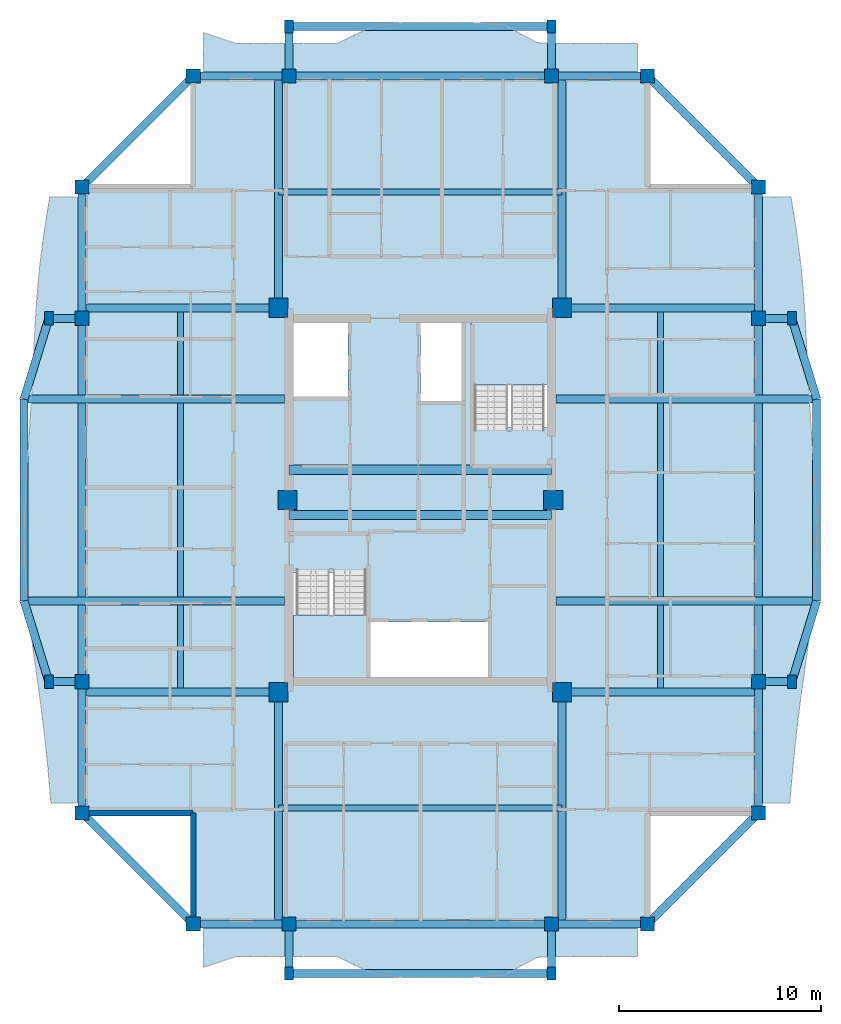
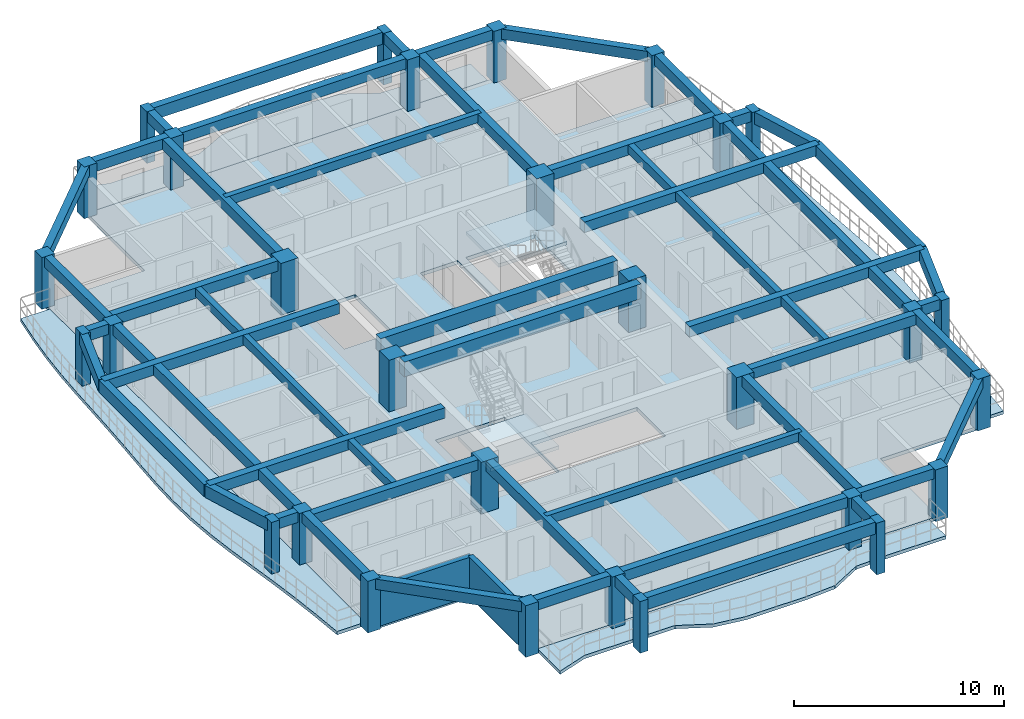
# One storey, part 1 of 14: 50 beams, 30 columns, 7 slabs, 2 walls, 2 elements without a shape of their own.
"""IFC4 building model written with IfcOpenShell, lengths in metres."""

from ifc_helpers import new_model, si_unit, direction, frame, frame_2d, origin, origin_2d, place, context, subcontext, project, spatial, polyline, rectangle, outline, extrude, source, transform, mapped, material, layer, layer_set, material_profile, profile_set, type_object, element, aggregate, save


model = new_model("IFC4")

# Units and contexts
model_context = context("Model", 3, precision=1e-05, world=origin(), true_north=direction((0.0, 1.0)))
body_context = subcontext(model_context, "Body", "Model", "MODEL_VIEW")
ifc_project = project(units=[si_unit("LENGTHUNIT", "METRE"), si_unit("AREAUNIT", "SQUARE_METRE"), si_unit("VOLUMEUNIT", "CUBIC_METRE"), si_unit("PLANEANGLEUNIT", "RADIAN"), si_unit("MASSUNIT", "GRAM", prefix="KILO")], contexts=[model_context])

# Site, building, storey
site_placement = place(None, origin())
site = spatial("IfcSite", under=ifc_project, at=site_placement, CompositionType="ELEMENT")
building_placement = place(site_placement, origin())
building = spatial("IfcBuilding", under=site, at=building_placement, Name="Saelheon Loggia Tower", CompositionType="ELEMENT")
storey_placement = place(building_placement, frame((0.0, 0.0, 233.10009765625)))
storey = spatial("IfcBuildingStorey", under=building, at=storey_placement, Name="L72", CompositionType="ELEMENT", Elevation=233.10009765625)

# Columns
ifc_material_1 = material(Name="Concrete C45/55", Category="concrete")
ifc_material_profile_1 = material_profile(ifc_material_1, rectangle(XDim=0.949951171875, YDim=0.949951171875, at=origin_2d()), Name="RC-950x950")
ifc_profile_set_1 = profile_set([ifc_material_profile_1], Name="Concrete C45/55")
column_type_1 = type_object("IfcColumnType", Name="Col_Core_RC950", PredefinedType="COLUMN", material=ifc_profile_set_1)
shared_shape_1 = source(origin(), body_context, "Body", "SweptSolid", [
    extrude(rectangle(XDim=0.949951171875, YDim=0.949951171875, at=origin_2d()), origin(), (0.0, 0.0, 1.0), 3.0),
])
for number, where, z_axis, x_axis, name in (
    (1, (30.97998046875, 17.47998046875, 0.0), (0.0, 0.0, 1.0), (1.0, 0.0, 0.0), "L72 Core Column CR-SW"),
    (2, (45.02001953125, 17.47998046875, 0.0), (0.0, 0.0, 1.0), (1.0, 0.0, 0.0), "L72 Core Column CR-SE"),
    (3, (30.97998046875, 36.52001953125, 0.0), (0.0, 0.0, 1.0), (1.0, 0.0, 0.0), "L72 Core Column CR-NW"),
    (4, (45.02001953125, 36.52001953125, 0.0), (0.0, 0.0, 1.0), (1.0, 0.0, 0.0), "L72 Core Column CR-NE"),
    (5, (31.419921875, 27.0, 0.0), (0.0, 0.0, 1.0), (1.0, 0.0, 0.0), "L72 Core Column CR-MW"),
    (6, (44.580078125, 27.0, 0.0), (0.0, 0.0, 1.0), (1.0, 0.0, 0.0), "L72 Core Column CR-ME"),
):
    element("IfcColumn", number, at=place(storey_placement, frame(where, z_axis=z_axis, x_axis=x_axis)), inside=storey, type_object=column_type_1, Name=name, PredefinedType="COLUMN", context=body_context, shape_type="MappedRepresentation", body=[
        mapped(shared_shape_1, transform((0.0, 0.0, 0.0), scale=1.0)),
    ])
ifc_material_2 = material(Name="Precast Concrete C45/55", Category="concrete")
ifc_material_profile_2 = material_profile(ifc_material_2, rectangle(XDim=0.449951171875, YDim=0.64990234375, at=origin_2d()), Name="RC-450x650")
ifc_profile_set_2 = profile_set([ifc_material_profile_2], Name="Precast Concrete C45/55")
column_type_2 = type_object("IfcColumnType", Name="Col_Loggia_Pilaster_650", PredefinedType="PILASTER", material=ifc_profile_set_2)
shared_shape_2 = source(origin(), body_context, "Body", "SweptSolid", [
    extrude(rectangle(XDim=0.449951171875, YDim=0.64990234375, at=origin_2d()), origin(), (0.0, 0.0, 1.0), 3.0),
])
for number, where, z_axis, x_axis, name in (
    (7, (31.5, 3.550048828125, 0.0), (0.0, 0.0, 1.0), (1.0, 0.0, 0.0), "L72 Loggia Frame Pilaster LP-S1"),
    (8, (44.5, 3.550048828125, 0.0), (0.0, 0.0, 1.0), (1.0, 0.0, 0.0), "L72 Loggia Frame Pilaster LP-S2"),
    (9, (31.5, 50.449951171875, 0.0), (0.0, 0.0, 1.0), (1.0, 0.0, 0.0), "L72 Loggia Frame Pilaster LP-N1"),
    (10, (44.5, 50.449951171875, 0.0), (0.0, 0.0, 1.0), (1.0, 0.0, 0.0), "L72 Loggia Frame Pilaster LP-N2"),
    (11, (56.39990234375, 18.0, 0.0), (0.0, 0.0, 1.0), (1.0, 0.0, 0.0), "L72 Loggia Frame Pilaster LP-E1"),
    (12, (56.39990234375, 36.0, 0.0), (0.0, 0.0, 1.0), (1.0, 0.0, 0.0), "L72 Loggia Frame Pilaster LP-E2"),
    (13, (19.60009765625, 18.0, 0.0), (0.0, 0.0, 1.0), (1.0, 0.0, 0.0), "L72 Loggia Frame Pilaster LP-W1"),
    (14, (19.60009765625, 36.0, 0.0), (0.0, 0.0, 1.0), (1.0, 0.0, 0.0), "L72 Loggia Frame Pilaster LP-W2"),
):
    element("IfcColumn", number, at=place(storey_placement, frame(where, z_axis=z_axis, x_axis=x_axis)), inside=storey, type_object=column_type_2, Name=name, PredefinedType="PILASTER", context=body_context, shape_type="MappedRepresentation", body=[
        mapped(shared_shape_2, transform((0.0, 0.0, 0.0), scale=1.0)),
    ])
ifc_material_profile_3 = material_profile(ifc_material_1, rectangle(XDim=0.699951171875, YDim=0.699951171875, at=origin_2d()), Name="RC-700x700")
ifc_profile_set_3 = profile_set([ifc_material_profile_3], Name="Concrete C45/55")
column_type_3 = type_object("IfcColumnType", Name="Col_Perim_RC700", PredefinedType="COLUMN", material=ifc_profile_set_3)
shared_shape_3 = source(origin(), body_context, "Body", "SweptSolid", [
    extrude(rectangle(XDim=0.699951171875, YDim=0.699951171875, at=origin_2d()), origin(), (0.0, 0.0, 1.0), 3.0),
])
for number, where, z_axis, x_axis, name in (
    (15, (26.75, 6.0, 0.0), (0.0, 0.0, 1.0), (1.0, 0.0, 0.0), "L72 Perimeter Column TP-S1"),
    (16, (31.5, 6.0, 0.0), (0.0, 0.0, 1.0), (1.0, 0.0, 0.0), "L72 Perimeter Column TP-SA"),
    (17, (44.5, 6.0, 0.0), (0.0, 0.0, 1.0), (1.0, 0.0, 0.0), "L72 Perimeter Column TP-SB"),
    (18, (49.25, 6.0, 0.0), (0.0, 0.0, 1.0), (1.0, 0.0, 0.0), "L72 Perimeter Column TP-S2"),
    (19, (54.75, 11.5, 0.0), (0.0, 0.0, 1.0), (1.0, 0.0, 0.0), "L72 Perimeter Column TP-E1"),
    (20, (54.75, 18.0, 0.0), (0.0, 0.0, 1.0), (1.0, 0.0, 0.0), "L72 Perimeter Column TP-EA"),
    (21, (54.75, 36.0, 0.0), (0.0, 0.0, 1.0), (1.0, 0.0, 0.0), "L72 Perimeter Column TP-EB"),
    (22, (54.75, 42.5, 0.0), (0.0, 0.0, 1.0), (1.0, 0.0, 0.0), "L72 Perimeter Column TP-E2"),
    (23, (49.25, 48.0, 0.0), (0.0, 0.0, 1.0), (1.0, 0.0, 0.0), "L72 Perimeter Column TP-N2"),
    (24, (44.5, 48.0, 0.0), (0.0, 0.0, 1.0), (1.0, 0.0, 0.0), "L72 Perimeter Column TP-NB"),
    (25, (31.5, 48.0, 0.0), (0.0, 0.0, 1.0), (1.0, 0.0, 0.0), "L72 Perimeter Column TP-NA"),
    (26, (26.75, 48.0, 0.0), (0.0, 0.0, 1.0), (1.0, 0.0, 0.0), "L72 Perimeter Column TP-N1"),
    (27, (21.25, 42.5, 0.0), (0.0, 0.0, 1.0), (1.0, 0.0, 0.0), "L72 Perimeter Column TP-W2"),
    (28, (21.25, 36.0, 0.0), (0.0, 0.0, 1.0), (1.0, 0.0, 0.0), "L72 Perimeter Column TP-WB"),
    (29, (21.25, 18.0, 0.0), (0.0, 0.0, 1.0), (1.0, 0.0, 0.0), "L72 Perimeter Column TP-WA"),
    (30, (21.25, 11.5, 0.0), (0.0, 0.0, 1.0), (1.0, 0.0, 0.0), "L72 Perimeter Column TP-W1"),
):
    element("IfcColumn", number, at=place(storey_placement, frame(where, z_axis=z_axis, x_axis=x_axis)), inside=storey, type_object=column_type_3, Name=name, PredefinedType="COLUMN", context=body_context, shape_type="MappedRepresentation", body=[
        mapped(shared_shape_3, transform((0.0, 0.0, 0.0), scale=1.0)),
    ])

# Beams
ifc_material_3 = material(Name="Concrete C50/60", Category="concrete")
ifc_material_profile_4 = material_profile(ifc_material_3, rectangle(XDim=0.449951171875, YDim=0.85009765625, at=origin_2d()), Name="RC-450x850")
ifc_profile_set_4 = profile_set([ifc_material_profile_4], Name="Concrete C50/60")
beam_type_1 = type_object("IfcBeamType", Name="Beam_CoreLintel_RC450x850", PredefinedType="LINTEL", material=ifc_profile_set_4)
shared_shape_4 = source(origin(), body_context, "Body", "SweptSolid", [
    extrude(rectangle(XDim=0.449951171875, YDim=0.85009765625, at=origin_2d()), origin(), (0.0, 0.0, 1.0), 13.0),
])
for number, where, z_axis, x_axis, name in (
    (31, (31.5, 26.25, 2.574951171875), (1.0, 0.0, 0.0), (0.0, 1.0, 0.0), "L72 Core Coupling Lintel 1"),
    (32, (31.5, 28.5, 2.574951171875), (1.0, 0.0, 0.0), (0.0, 1.0, 0.0), "L72 Core Coupling Lintel 2"),
):
    element("IfcBeam", number, at=place(storey_placement, frame(where, z_axis=z_axis, x_axis=x_axis)), inside=storey, type_object=beam_type_1, Name=name, PredefinedType="LINTEL", context=body_context, shape_type="MappedRepresentation", body=[
        mapped(shared_shape_4, transform((0.0, 0.0, 0.0), scale=1.0)),
    ])
ifc_material_profile_5 = material_profile(ifc_material_2, rectangle(XDim=0.39990234375, YDim=0.60009765625, at=origin_2d()), Name="RC-400x600")
ifc_profile_set_5 = profile_set([ifc_material_profile_5], Name="Precast Concrete C45/55")
beam_type_2 = type_object("IfcBeamType", Name="Beam_LoggiaTie_RC400x600", PredefinedType="BEAM", material=ifc_profile_set_5)
shared_shape_5 = source(origin(), body_context, "Body", "SweptSolid", [
    extrude(rectangle(XDim=0.39990234375, YDim=0.60009765625, at=origin_2d()), origin(), (0.0, 0.0, 1.0), 2.449951171875),
])
for number, where, z_axis, x_axis, name in (
    (33, (31.5, 6.0, 2.699951171875), (0.0, -1.0, 0.0), (1.0, 0.0, 0.0), "L72 Loggia Frame Tie Beam LP-S1"),
    (34, (44.5, 6.0, 2.699951171875), (0.0, -1.0, 0.0), (1.0, 0.0, 0.0), "L72 Loggia Frame Tie Beam LP-S2"),
    (35, (31.5, 48.0, 2.699951171875), (0.0, 1.0, 0.0), (-1.0, 0.0, 0.0), "L72 Loggia Frame Tie Beam LP-N1"),
    (36, (44.5, 48.0, 2.699951171875), (0.0, 1.0, 0.0), (-1.0, 0.0, 0.0), "L72 Loggia Frame Tie Beam LP-N2"),
):
    element("IfcBeam", number, at=place(storey_placement, frame(where, z_axis=z_axis, x_axis=x_axis)), inside=storey, type_object=beam_type_2, Name=name, PredefinedType="BEAM", context=body_context, shape_type="MappedRepresentation", body=[
        mapped(shared_shape_5, transform((0.0, 0.0, 0.0), scale=1.0)),
    ])
ifc_material_4 = material(Name="Concrete C40/50", Category="concrete")
ifc_material_profile_6 = material_profile(ifc_material_4, rectangle(XDim=0.300048828125, YDim=0.5, at=origin_2d()), Name="RC-300x500")
ifc_profile_set_6 = profile_set([ifc_material_profile_6], Name="Concrete C40/50")
beam_type_3 = type_object("IfcBeamType", Name="Beam_Joist_RC300x500", PredefinedType="JOIST", material=ifc_profile_set_6)
shared_shape_6 = source(origin(), body_context, "Body", "SweptSolid", [
    extrude(rectangle(XDim=0.300048828125, YDim=0.5, at=origin_2d()), origin(), (0.0, 0.0, 1.0), 14.0400390625),
])
for number, where, z_axis, x_axis, name in (
    (37, (30.97998046875, 11.739990234375, 2.75), (1.0, 0.0, 0.0), (0.0, 1.0, 0.0), "L72 South Floor Joist"),
    (38, (30.97998046875, 42.260009765625, 2.75), (1.0, 0.0, 0.0), (0.0, 1.0, 0.0), "L72 North Floor Joist"),
):
    element("IfcBeam", number, at=place(storey_placement, frame(where, z_axis=z_axis, x_axis=x_axis)), inside=storey, type_object=beam_type_3, Name=name, PredefinedType="JOIST", context=body_context, shape_type="MappedRepresentation", body=[
        mapped(shared_shape_6, transform((0.0, 0.0, 0.0), scale=1.0)),
    ])
shared_shape_7 = source(origin(), body_context, "Body", "SweptSolid", [
    extrude(rectangle(XDim=0.300048828125, YDim=0.5, at=origin_2d()), origin(), (0.0, 0.0, 1.0), 19.0400390625),
])
for number, where, z_axis, x_axis, name in (
    (39, (26.114990234375, 17.47998046875, 2.75), (0.0, 1.0, 0.0), (-1.0, 0.0, 0.0), "L72 West Floor Joist"),
    (40, (49.885009765625, 17.47998046875, 2.75), (0.0, 1.0, 0.0), (-1.0, 0.0, 0.0), "L72 East Floor Joist"),
):
    element("IfcBeam", number, at=place(storey_placement, frame(where, z_axis=z_axis, x_axis=x_axis)), inside=storey, type_object=beam_type_3, Name=name, PredefinedType="JOIST", context=body_context, shape_type="MappedRepresentation", body=[
        mapped(shared_shape_7, transform((0.0, 0.0, 0.0), scale=1.0)),
    ])
shared_shape_8 = source(origin(), body_context, "Body", "SweptSolid", [
    extrude(rectangle(XDim=0.39990234375, YDim=0.60009765625, at=origin_2d()), origin(), (0.0, 0.0, 1.0), 1.64990234375),
])
for number, where, z_axis, x_axis, name in (
    (41, (54.75, 18.0, 2.699951171875), (1.0, 0.0, 0.0), (0.0, 1.0, 0.0), "L72 Loggia Frame Tie Beam LP-E1"),
    (42, (54.75, 36.0, 2.699951171875), (1.0, 0.0, 0.0), (0.0, 1.0, 0.0), "L72 Loggia Frame Tie Beam LP-E2"),
    (43, (21.25, 18.0, 2.699951171875), (-1.0, 0.0, 0.0), (0.0, -1.0, 0.0), "L72 Loggia Frame Tie Beam LP-W1"),
    (44, (21.25, 36.0, 2.699951171875), (-1.0, 0.0, 0.0), (0.0, -1.0, 0.0), "L72 Loggia Frame Tie Beam LP-W2"),
):
    element("IfcBeam", number, at=place(storey_placement, frame(where, z_axis=z_axis, x_axis=x_axis)), inside=storey, type_object=beam_type_2, Name=name, PredefinedType="BEAM", context=body_context, shape_type="MappedRepresentation", body=[
        mapped(shared_shape_8, transform((0.0, 0.0, 0.0), scale=1.0)),
    ])
ifc_material_profile_7 = material_profile(ifc_material_2, rectangle(XDim=0.39990234375, YDim=0.699951171875, at=origin_2d()), Name="RC-400x700")
ifc_profile_set_7 = profile_set([ifc_material_profile_7], Name="Precast Concrete C45/55")
beam_type_4 = type_object("IfcBeamType", Name="Beam_LoggiaSpandrel_RC400x700", PredefinedType="SPANDREL", material=ifc_profile_set_7)
shared_shape_9 = source(origin(), body_context, "Body", "SweptSolid", [
    extrude(rectangle(XDim=0.39990234375, YDim=0.699951171875, at=origin_2d()), origin(), (0.0, 0.0, 1.0), 13.0),
])
for number, where, z_axis, x_axis, name in (
    (45, (31.5, 3.550048828125, 2.64990234375), (1.0, 0.0, 0.0), (0.0, 1.0, 0.0), "L72 Loggia Spandrel Beam S"),
    (46, (31.5, 50.449951171875, 2.64990234375), (1.0, 0.0, 0.0), (0.0, 1.0, 0.0), "L72 Loggia Spandrel Beam N"),
):
    element("IfcBeam", number, at=place(storey_placement, frame(where, z_axis=z_axis, x_axis=x_axis)), inside=storey, type_object=beam_type_4, Name=name, PredefinedType="SPANDREL", context=body_context, shape_type="MappedRepresentation", body=[
        mapped(shared_shape_9, transform((0.0, 0.0, 0.0), scale=1.0)),
    ])
shared_shape_10 = source(origin(), body_context, "Body", "SweptSolid", [
    extrude(rectangle(XDim=0.39990234375, YDim=0.699951171875, at=origin_2d()), origin(), (0.0, 0.0, 1.0), 4.184814453125),
])
for number, where, z_axis, x_axis, name in (
    (47, (56.39990234375, 18.0, 2.64990234375), (0.293913664135, 0.955831971653, 0.0), (-0.955831971653, 0.293913664135, 0.0), "L72 Curved Loggia Spandrel E 1"),
    (48, (57.6298828125, 32.0, 2.64990234375), (-0.293913664135, 0.955831971653, 0.0), (-0.955831971653, -0.293913664135, 0.0), "L72 Curved Loggia Spandrel E 3"),
    (49, (19.60009765625, 18.0, 2.64990234375), (-0.293913664135, 0.955831971653, 0.0), (-0.955831971653, -0.293913664135, 0.0), "L72 Curved Loggia Spandrel W 1"),
    (50, (18.3701171875, 32.0, 2.64990234375), (0.293913664135, 0.955831971653, 0.0), (-0.955831971653, 0.293913664135, 0.0), "L72 Curved Loggia Spandrel W 3"),
):
    element("IfcBeam", number, at=place(storey_placement, frame(where, z_axis=z_axis, x_axis=x_axis)), inside=storey, type_object=beam_type_4, Name=name, PredefinedType="SPANDREL", context=body_context, shape_type="MappedRepresentation", body=[
        mapped(shared_shape_10, transform((0.0, 0.0, 0.0), scale=1.0)),
    ])
shared_shape_11 = source(origin(), body_context, "Body", "SweptSolid", [
    extrude(rectangle(XDim=0.39990234375, YDim=0.699951171875, at=origin_2d()), origin(), (0.0, 0.0, 1.0), 10.0),
])
for number, where, z_axis, x_axis, name in (
    (51, (57.6298828125, 22.0, 2.64990234375), (0.0, 1.0, 0.0), (-1.0, 0.0, 0.0), "L72 Curved Loggia Spandrel E 2"),
    (52, (18.3701171875, 22.0, 2.64990234375), (0.0, 1.0, 0.0), (-1.0, 0.0, 0.0), "L72 Curved Loggia Spandrel W 2"),
):
    element("IfcBeam", number, at=place(storey_placement, frame(where, z_axis=z_axis, x_axis=x_axis)), inside=storey, type_object=beam_type_4, Name=name, PredefinedType="SPANDREL", context=body_context, shape_type="MappedRepresentation", body=[
        mapped(shared_shape_11, transform((0.0, 0.0, 0.0), scale=1.0)),
    ])
ifc_material_profile_8 = material_profile(ifc_material_4, rectangle(XDim=0.39990234375, YDim=0.60009765625, at=origin_2d()), Name="RC-400x600")
ifc_profile_set_8 = profile_set([ifc_material_profile_8], Name="Concrete C40/50")
beam_type_5 = type_object("IfcBeamType", Name="Beam_PerimUpper_RC400x600", PredefinedType="BEAM", material=ifc_profile_set_8)
shared_shape_12 = source(origin(), body_context, "Body", "SweptSolid", [
    extrude(rectangle(XDim=0.39990234375, YDim=0.60009765625, at=origin_2d()), origin(), (0.0, 0.0, 1.0), 13.0),
])
for number, where, z_axis, x_axis, name in (
    (53, (31.5, 6.0, 2.699951171875), (1.0, 0.0, 0.0), (0.0, 1.0, 0.0), "L72 Perimeter Frame Girder 02"),
    (54, (44.5, 48.0, 2.699951171875), (-1.0, 0.0, 0.0), (0.0, -1.0, 0.0), "L72 Perimeter Frame Girder 10"),
):
    element("IfcBeam", number, at=place(storey_placement, frame(where, z_axis=z_axis, x_axis=x_axis)), inside=storey, type_object=beam_type_5, Name=name, PredefinedType="BEAM", context=body_context, shape_type="MappedRepresentation", body=[
        mapped(shared_shape_12, transform((0.0, 0.0, 0.0), scale=1.0)),
    ])
shared_shape_13 = source(origin(), body_context, "Body", "SweptSolid", [
    extrude(rectangle(XDim=0.39990234375, YDim=0.60009765625, at=origin_2d()), origin(), (0.0, 0.0, 1.0), 18.0),
])
for number, where, z_axis, x_axis, name in (
    (55, (54.75, 18.0, 2.699951171875), (0.0, 1.0, 0.0), (-1.0, 0.0, 0.0), "L72 Perimeter Frame Girder 06"),
    (56, (21.25, 36.0, 2.699951171875), (0.0, -1.0, 0.0), (1.0, 0.0, 0.0), "L72 Perimeter Frame Girder 14"),
):
    element("IfcBeam", number, at=place(storey_placement, frame(where, z_axis=z_axis, x_axis=x_axis)), inside=storey, type_object=beam_type_5, Name=name, PredefinedType="BEAM", context=body_context, shape_type="MappedRepresentation", body=[
        mapped(shared_shape_13, transform((0.0, 0.0, 0.0), scale=1.0)),
    ])
ifc_material_profile_9 = material_profile(ifc_material_4, rectangle(XDim=0.39990234375, YDim=0.60009765625, at=origin_2d()), Name="RC-400x600")
ifc_profile_set_9 = profile_set([ifc_material_profile_9], Name="Concrete C40/50")
beam_type_6 = type_object("IfcBeamType", Name="Beam_UpperGirder_RC400x600", PredefinedType="BEAM", material=ifc_profile_set_9)
shared_shape_14 = source(origin(), body_context, "Body", "SweptSolid", [
    extrude(rectangle(XDim=0.39990234375, YDim=0.60009765625, at=origin_2d()), origin(), (0.0, 0.0, 1.0), 11.47998046875),
])
for number, where, z_axis, x_axis, name in (
    (57, (30.97998046875, 17.47998046875, 2.699951171875), (0.0, -1.0, 0.0), (1.0, 0.0, 0.0), "L72 Radial Floor Girder RAD-SW-S"),
    (58, (45.02001953125, 17.47998046875, 2.699951171875), (0.0, -1.0, 0.0), (1.0, 0.0, 0.0), "L72 Radial Floor Girder RAD-SE-S"),
    (59, (30.97998046875, 36.52001953125, 2.699951171875), (0.0, 1.0, 0.0), (-1.0, 0.0, 0.0), "L72 Radial Floor Girder RAD-NW-N"),
    (60, (45.02001953125, 36.52001953125, 2.699951171875), (0.0, 1.0, 0.0), (-1.0, 0.0, 0.0), "L72 Radial Floor Girder RAD-NE-N"),
):
    element("IfcBeam", number, at=place(storey_placement, frame(where, z_axis=z_axis, x_axis=x_axis)), inside=storey, type_object=beam_type_6, Name=name, PredefinedType="BEAM", context=body_context, shape_type="MappedRepresentation", body=[
        mapped(shared_shape_14, transform((0.0, 0.0, 0.0), scale=1.0)),
    ])
shared_shape_15 = source(origin(), body_context, "Body", "SweptSolid", [
    extrude(rectangle(XDim=0.39990234375, YDim=0.60009765625, at=origin_2d()), origin(), (0.0, 0.0, 1.0), 6.5),
])
for number, where, z_axis, x_axis, name in (
    (61, (54.75, 11.5, 2.699951171875), (0.0, 1.0, 0.0), (-1.0, 0.0, 0.0), "L72 Perimeter Frame Girder 05"),
    (62, (54.75, 36.0, 2.699951171875), (0.0, 1.0, 0.0), (-1.0, 0.0, 0.0), "L72 Perimeter Frame Girder 07"),
    (63, (21.25, 42.5, 2.699951171875), (0.0, -1.0, 0.0), (1.0, 0.0, 0.0), "L72 Perimeter Frame Girder 13"),
    (64, (21.25, 18.0, 2.699951171875), (0.0, -1.0, 0.0), (1.0, 0.0, 0.0), "L72 Perimeter Frame Girder 15"),
):
    element("IfcBeam", number, at=place(storey_placement, frame(where, z_axis=z_axis, x_axis=x_axis)), inside=storey, type_object=beam_type_5, Name=name, PredefinedType="BEAM", context=body_context, shape_type="MappedRepresentation", body=[
        mapped(shared_shape_15, transform((0.0, 0.0, 0.0), scale=1.0)),
    ])
shared_shape_16 = source(origin(), body_context, "Body", "SweptSolid", [
    extrude(rectangle(XDim=0.39990234375, YDim=0.60009765625, at=origin_2d()), origin(), (0.0, 0.0, 1.0), 7.778076171875),
])
for number, where, z_axis, x_axis, name in (
    (65, (49.25, 6.0, 2.699951171875), (0.707106781187, 0.707106781187, 0.0), (-0.707106781187, 0.707106781187, 0.0), "L72 Perimeter Frame Girder 04"),
    (66, (54.75, 42.5, 2.699951171875), (-0.707106781187, 0.707106781187, 0.0), (-0.707106781187, -0.707106781187, 0.0), "L72 Perimeter Frame Girder 08"),
    (67, (26.75, 48.0, 2.699951171875), (-0.707106781187, -0.707106781187, 0.0), (0.707106781187, -0.707106781187, 0.0), "L72 Perimeter Frame Girder 12"),
    (68, (21.25, 11.5, 2.699951171875), (0.707106781187, -0.707106781187, 0.0), (0.707106781187, 0.707106781187, 0.0), "L72 Perimeter Frame Girder 16"),
):
    element("IfcBeam", number, at=place(storey_placement, frame(where, z_axis=z_axis, x_axis=x_axis)), inside=storey, type_object=beam_type_5, Name=name, PredefinedType="BEAM", context=body_context, shape_type="MappedRepresentation", body=[
        mapped(shared_shape_16, transform((0.0, 0.0, 0.0), scale=1.0)),
    ])
shared_shape_17 = source(origin(), body_context, "Body", "SweptSolid", [
    extrude(rectangle(XDim=0.39990234375, YDim=0.60009765625, at=origin_2d()), origin(), (0.0, 0.0, 1.0), 4.75),
])
for number, where, z_axis, x_axis, name in (
    (69, (26.75, 6.0, 2.699951171875), (1.0, 0.0, 0.0), (0.0, 1.0, 0.0), "L72 Perimeter Frame Girder 01"),
    (70, (44.5, 6.0, 2.699951171875), (1.0, 0.0, 0.0), (0.0, 1.0, 0.0), "L72 Perimeter Frame Girder 03"),
    (71, (49.25, 48.0, 2.699951171875), (-1.0, 0.0, 0.0), (0.0, -1.0, 0.0), "L72 Perimeter Frame Girder 09"),
    (72, (31.5, 48.0, 2.699951171875), (-1.0, 0.0, 0.0), (0.0, -1.0, 0.0), "L72 Perimeter Frame Girder 11"),
):
    element("IfcBeam", number, at=place(storey_placement, frame(where, z_axis=z_axis, x_axis=x_axis)), inside=storey, type_object=beam_type_5, Name=name, PredefinedType="BEAM", context=body_context, shape_type="MappedRepresentation", body=[
        mapped(shared_shape_17, transform((0.0, 0.0, 0.0), scale=1.0)),
    ])
shared_shape_18 = source(origin(), body_context, "Body", "SweptSolid", [
    extrude(rectangle(XDim=0.39990234375, YDim=0.60009765625, at=origin_2d()), origin(), (0.0, 0.0, 1.0), 9.72998046875),
])
for number, where, z_axis, x_axis, name in (
    (73, (30.97998046875, 17.47998046875, 2.699951171875), (-1.0, 0.0, 0.0), (0.0, -1.0, 0.0), "L72 Radial Floor Girder RAD-SW-W"),
    (74, (30.97998046875, 36.52001953125, 2.699951171875), (-1.0, 0.0, 0.0), (0.0, -1.0, 0.0), "L72 Radial Floor Girder RAD-NW-W"),
    (75, (45.02001953125, 17.47998046875, 2.699951171875), (1.0, 0.0, 0.0), (0.0, 1.0, 0.0), "L72 Radial Floor Girder RAD-SE-E"),
    (76, (45.02001953125, 36.52001953125, 2.699951171875), (1.0, 0.0, 0.0), (0.0, 1.0, 0.0), "L72 Radial Floor Girder RAD-NE-E"),
):
    element("IfcBeam", number, at=place(storey_placement, frame(where, z_axis=z_axis, x_axis=x_axis)), inside=storey, type_object=beam_type_6, Name=name, PredefinedType="BEAM", context=body_context, shape_type="MappedRepresentation", body=[
        mapped(shared_shape_18, transform((0.0, 0.0, 0.0), scale=1.0)),
    ])
shared_shape_19 = source(origin(), body_context, "Body", "SweptSolid", [
    extrude(rectangle(XDim=0.39990234375, YDim=0.60009765625, at=origin_2d()), origin(), (0.0, 0.0, 1.0), 12.909912109375),
])
for number, where, z_axis, x_axis, name in (
    (77, (44.719970703125, 22.0, 2.699951171875), (1.0, 0.0, 0.0), (0.0, 1.0, 0.0), "L72 Curved Facade Outrigger Beam E 1"),
    (78, (44.719970703125, 32.0, 2.699951171875), (1.0, 0.0, 0.0), (0.0, 1.0, 0.0), "L72 Curved Facade Outrigger Beam E 2"),
    (79, (31.280029296875, 22.0, 2.699951171875), (-1.0, 0.0, 0.0), (0.0, -1.0, 0.0), "L72 Curved Facade Outrigger Beam W 1"),
    (80, (31.280029296875, 32.0, 2.699951171875), (-1.0, 0.0, 0.0), (0.0, -1.0, 0.0), "L72 Curved Facade Outrigger Beam W 2"),
):
    element("IfcBeam", number, at=place(storey_placement, frame(where, z_axis=z_axis, x_axis=x_axis)), inside=storey, type_object=beam_type_2, Name=name, PredefinedType="BEAM", context=body_context, shape_type="MappedRepresentation", body=[
        mapped(shared_shape_19, transform((0.0, 0.0, 0.0), scale=1.0)),
    ])

# Slabs
ifc_layer_1 = layer(ifc_material_2, 0.18994140625)
ifc_layer_set_1 = layer_set([ifc_layer_1], Name="Precast Concrete C45/55")
slab_type_1 = type_object("IfcSlabType", Name="Slab_Loggia_Ext_190", PredefinedType="FLOOR", material=ifc_layer_set_1)
slab_1_placement = place(storey_placement, frame((0.0, 0.0, -0.190185546875)))
element("IfcSlab", 81, at=slab_1_placement, inside=storey, type_object=slab_type_1, Name="L72 Loggia Balcony Slab S", PredefinedType="FLOOR", context=body_context, shape_type="SweptSolid", body=[
    extrude(outline(polyline([(27.25, 3.85009765625), (28.90380859375, 4.39990234375), (30.5576171875, 4.39990234375), (32.21142578125, 4.39990234375), (33.865478515625, 4.39990234375), (35.519287109375, 3.596435546875), (37.173095703125, 3.35009765625), (38.826904296875, 3.35009765625), (40.480712890625, 3.35009765625), (42.134521484375, 3.46630859375), (43.78857421875, 4.34814453125), (45.4423828125, 4.39990234375), (47.09619140625, 4.39990234375), (48.75, 4.39990234375), (48.75, 6.0), (27.25, 6.0), (27.25, 3.85009765625)])), origin(), (0.0, 0.0, 1.0), 0.190185546875),
])
slab_2_placement = place(storey_placement, frame((0.0, 0.0, -0.190185546875)))
element("IfcSlab", 82, at=slab_2_placement, inside=storey, type_object=slab_type_1, Name="L72 Loggia Balcony Slab N", PredefinedType="FLOOR", context=body_context, shape_type="SweptSolid", body=[
    extrude(outline(polyline([(27.25, 48.0), (48.75, 48.0), (48.75, 49.60009765625), (47.09619140625, 49.60009765625), (45.4423828125, 49.60009765625), (43.78857421875, 49.65185546875), (42.134521484375, 50.53369140625), (40.480712890625, 50.64990234375), (38.826904296875, 50.64990234375), (37.173095703125, 50.64990234375), (35.519287109375, 50.403564453125), (33.865478515625, 49.60009765625), (32.21142578125, 49.60009765625), (30.5576171875, 49.60009765625), (28.90380859375, 49.60009765625), (27.25, 50.14990234375), (27.25, 48.0)])), origin(), (0.0, 0.0, 1.0), 0.190185546875),
])
slab_3_placement = place(storey_placement, frame((0.0, 0.0, -0.190185546875)))
element("IfcSlab", 83, at=slab_3_placement, inside=storey, type_object=slab_type_1, Name="L72 Loggia Balcony Slab E", PredefinedType="FLOOR", context=body_context, shape_type="SweptSolid", body=[
    extrude(outline(polyline([(54.75, 12.0), (56.300048828125, 12.0), (56.4423828125, 13.666748046875), (56.610595703125, 15.333251953125), (56.816650390625, 17.0), (57.050537109375, 18.666748046875), (57.283203125, 20.333251953125), (57.4755859375, 22.0), (57.594482421875, 23.666748046875), (57.6259765625, 25.333251953125), (57.57861328125, 27.0), (57.48095703125, 28.666748046875), (57.36767578125, 30.333251953125), (57.264892578125, 32.0), (57.180419921875, 33.666748046875), (57.100341796875, 35.333251953125), (56.9970703125, 37.0), (56.843505859375, 38.666748046875), (56.626708984375, 40.333251953125), (56.355712890625, 42.0), (54.75, 42.0), (54.75, 12.0)])), origin(), (0.0, 0.0, 1.0), 0.190185546875),
])
slab_4_placement = place(storey_placement, frame((0.0, 0.0, -0.190185546875)))
element("IfcSlab", 84, at=slab_4_placement, inside=storey, type_object=slab_type_1, Name="L72 Loggia Balcony Slab W", PredefinedType="FLOOR", context=body_context, shape_type="SweptSolid", body=[
    extrude(outline(polyline([(21.25, 12.0), (21.25, 42.0), (19.644287109375, 42.0), (19.373291015625, 40.333251953125), (19.156494140625, 38.666748046875), (19.0029296875, 37.0), (18.899658203125, 35.333251953125), (18.819580078125, 33.666748046875), (18.735107421875, 32.0), (18.63232421875, 30.333251953125), (18.51904296875, 28.666748046875), (18.42138671875, 27.0), (18.3740234375, 25.333251953125), (18.405517578125, 23.666748046875), (18.5244140625, 22.0), (18.716796875, 20.333251953125), (18.949462890625, 18.666748046875), (19.183349609375, 17.0), (19.389404296875, 15.333251953125), (19.5576171875, 13.666748046875), (19.699951171875, 12.0), (21.25, 12.0)])), origin(), (0.0, 0.0, 1.0), 0.190185546875),
])

# Stair, slab
stair_type = type_object("IfcStairType", Name="Stair_Escape_Core", PredefinedType="HALF_TURN_STAIR", material=ifc_material_4)
stair_1_placement = place(storey_placement, origin())
stair_1 = element("IfcStair", 85, at=stair_1_placement, inside=storey, type_object=stair_type, Name="L72 Special Escape Stair ST1", PredefinedType="HALF_TURN_STAIR")
ifc_layer_2 = layer(ifc_material_4, 0.199951171875)
ifc_layer_set_2 = layer_set([ifc_layer_2], Name="Concrete C40/50")
slab_type_2 = type_object("IfcSlabType", Name="Slab_StairLanding_ST1", PredefinedType="LANDING", material=ifc_layer_set_2)
slab_5_placement = place(storey_placement, frame((0.0, 0.0, 1.2998046875)))
slab_5 = element("IfcSlab", 86, at=slab_5_placement, type_object=slab_type_2, Name="ST1 landing 1", PredefinedType="LANDING", context=body_context, shape_type="SweptSolid", body=[
    extrude(outline(polyline([(31.7099609375, 21.31005859375), (31.7099609375, 18.2099609375), (35.469970703125, 18.2099609375), (35.469970703125, 21.31005859375), (31.7099609375, 21.31005859375)])), origin(), (0.0, 0.0, 1.0), 0.2001953125),
])
aggregate(stair_1, [slab_5])

stair_2_placement = place(storey_placement, origin())
stair_2 = element("IfcStair", 87, at=stair_2_placement, inside=storey, type_object=stair_type, Name="L72 Special Escape Stair ST2", PredefinedType="HALF_TURN_STAIR")
ifc_layer_3 = layer(ifc_material_4, 0.199951171875)
ifc_layer_set_3 = layer_set([ifc_layer_3], Name="Concrete C40/50")
slab_type_3 = type_object("IfcSlabType", Name="Slab_StairLanding_ST2", PredefinedType="LANDING", material=ifc_layer_set_3)
slab_6_placement = place(storey_placement, frame((0.0, 0.0, 1.2998046875)))
slab_6 = element("IfcSlab", 88, at=slab_6_placement, type_object=slab_type_3, Name="ST2 landing 1", PredefinedType="LANDING", context=body_context, shape_type="SweptSolid", body=[
    extrude(outline(polyline([(44.2900390625, 32.68994140625), (44.2900390625, 35.7900390625), (40.530029296875, 35.7900390625), (40.530029296875, 32.68994140625), (44.2900390625, 32.68994140625)])), origin(), (0.0, 0.0, 1.0), 0.2001953125),
])
aggregate(stair_2, [slab_6])

# Slab
ifc_layer_4 = layer(ifc_material_4, 0.2099609375)
ifc_layer_set_4 = layer_set([ifc_layer_4], Name="Concrete C40/50")
slab_type_4 = type_object("IfcSlabType", Name="Slab_Tower_210", PredefinedType="FLOOR", material=ifc_layer_set_4)
slab_7_placement = place(storey_placement, frame((0.0, 0.0, -0.210205078125)))
element("IfcSlab", 89, at=slab_7_placement, inside=storey, type_object=slab_type_4, Name="L72 Tower Floor Slab", PredefinedType="FLOOR", context=body_context, shape_type="SweptSolid", body=[
    extrude(outline(polyline([(26.75, 6.0), (49.25, 6.0), (49.25, 11.5), (54.75, 11.5), (54.75, 42.5), (49.25, 42.5), (49.25, 48.0), (26.75, 48.0), (26.75, 42.5), (21.25, 42.5), (21.25, 11.5), (26.75, 11.5), (26.75, 6.0)]), holes=[polyline([(31.699951171875, 23.409912109375), (31.699951171875, 18.199951171875), (35.47998046875, 18.199951171875), (35.47998046875, 23.409912109375), (31.699951171875, 23.409912109375)]), polyline([(44.300048828125, 30.590087890625), (44.300048828125, 35.800048828125), (40.52001953125, 35.800048828125), (40.52001953125, 30.590087890625), (44.300048828125, 30.590087890625)]), polyline([(35.530029296875, 18.22509765625), (41.35009765625, 18.22509765625), (41.35009765625, 20.9599609375), (35.530029296875, 20.9599609375), (35.530029296875, 18.22509765625)]), polyline([(31.72509765625, 32.1201171875), (34.419921875, 32.1201171875), (34.419921875, 35.77490234375), (31.72509765625, 35.77490234375), (31.72509765625, 32.1201171875)]), polyline([(38.0, 31.89990234375), (40.050048828125, 31.89990234375), (40.050048828125, 35.77490234375), (38.0, 35.77490234375), (38.0, 31.89990234375)])]), origin(), (0.0, 0.0, 1.0), 0.210205078125),
])

# Walls
ifc_material_5 = material(Name="Architectural Precast Concrete C40/50", Category="concrete")
ifc_layer_5 = layer(ifc_material_5, 0.280029296875)
ifc_layer_set_5 = layer_set([ifc_layer_5], Name="Architectural Precast Concrete C40/50")
wall_type = type_object("IfcWallType", Name="Wall_Ext_Loggia_280", PredefinedType="SOLIDWALL", material=ifc_layer_set_5)
for number, where, z_axis, x_axis, name in (
    (90, (26.75, 6.080078125, 0.0), (0.0, 0.0, 1.0), (0.0, 1.0, 0.0), "L72 Corner Notch Precast Wall SW1"),
    (91, (21.330078125, 11.5, 0.0), (0.0, 0.0, 1.0), (1.0, 0.0, 0.0), "L72 Corner Notch Precast Wall SW2"),
):
    element("IfcWall", number, at=place(storey_placement, frame(where, z_axis=z_axis, x_axis=x_axis)), inside=storey, type_object=wall_type, Name=name, PredefinedType="SOLIDWALL", context=body_context, shape_type="SweptSolid", body=[
        extrude(rectangle(XDim=5.419921875, YDim=0.280029296875, at=frame_2d((2.7099609375, 0.0))), origin(), (0.0, 0.0, 1.0), 2.27978515625),
    ])

save(model, "model.ifc")
